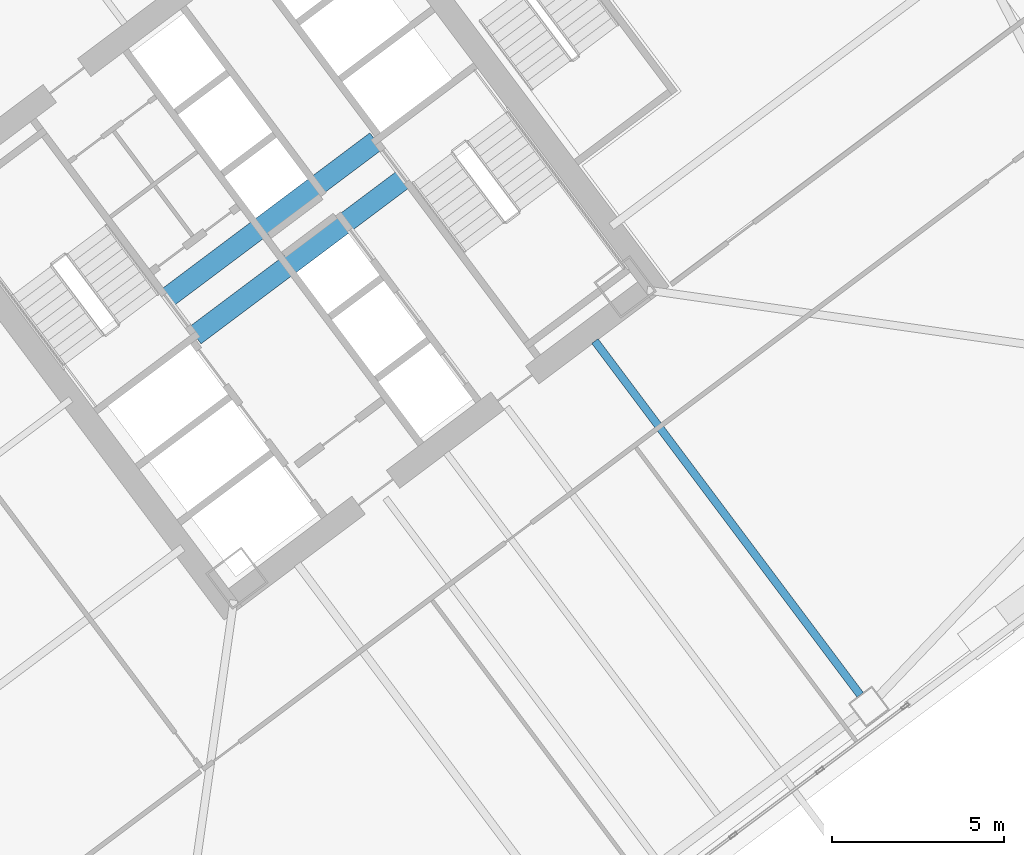
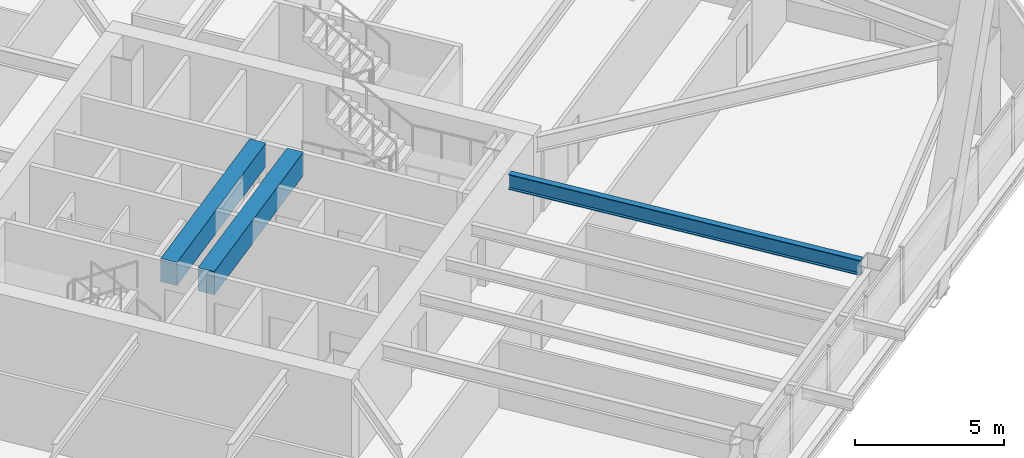
# One storey, part 44 of 75: 3 beams.
"""IFC4 building model written with IfcOpenShell, lengths in metres."""

from ifc_helpers import new_model, si_unit, direction, frame, origin, origin_2d, place, context, subcontext, project, spatial, rectangle, i_section, extrude, material, material_profile, profile_set, type_object, element, save


model = new_model("IFC4")

# Units and contexts
model_context = context("Model", 3, precision=1e-05, world=origin(), true_north=direction((0.0, 1.0)))
body_context = subcontext(model_context, "Body", "Model", "MODEL_VIEW")
ifc_project = project(units=[si_unit("LENGTHUNIT", "METRE"), si_unit("AREAUNIT", "SQUARE_METRE"), si_unit("VOLUMEUNIT", "CUBIC_METRE"), si_unit("PLANEANGLEUNIT", "RADIAN"), si_unit("MASSUNIT", "GRAM", prefix="KILO")], contexts=[model_context])

# Site, building, storey
site_placement = place(None, origin())
site = spatial("IfcSite", under=ifc_project, at=site_placement, CompositionType="ELEMENT")
building_placement = place(site_placement, origin())
building = spatial("IfcBuilding", under=site, at=building_placement, Name="Tashvorn Skyway Center", CompositionType="ELEMENT")
storey_placement = place(building_placement, frame((0.0, 0.0, 45.89990234375)))
storey = spatial("IfcBuildingStorey", under=building, at=storey_placement, Name="L11", CompositionType="ELEMENT", Elevation=45.89990234375)

# Beams
ifc_material_1 = material(Name="Steel ASTM A992 Grade 50", Category="steel")
ifc_material_profile_1 = material_profile(ifc_material_1, i_section(OverallWidth=0.22998046875, OverallDepth=0.616943359375, WebThickness=0.01318359375, FlangeThickness=0.022216796875, at=origin_2d()), Name="W24X94")
ifc_profile_set_1 = profile_set([ifc_material_profile_1], Name="Steel ASTM A992 Grade 50")
beam_type_1 = type_object("IfcBeamType", Name="BM-BEAM-W24X94", PredefinedType="BEAM", material=ifc_profile_set_1)
beam_placement = place(storey_placement, frame((130.697998046875, 18.736083984375, 3.04150390625), z_axis=(-0.599996960112, 0.800002279907, 0.0), x_axis=(-0.800002279907, -0.599996960112, 0.0)))
element("IfcBeam", 1, at=beam_placement, inside=storey, type_object=beam_type_1, Name="Tower 2 L11 Primary Floor Girder FC-S2", PredefinedType="BEAM", context=body_context, shape_type="SweptSolid", body=[
    extrude(i_section(OverallWidth=0.22998046875, OverallDepth=0.616943359375, WebThickness=0.01318359375, FlangeThickness=0.022216796875, at=origin_2d()), origin(), (0.0, 0.0, 1.0), 12.85009765625),
])
ifc_material_2 = material(Name="Concrete C60/75", Category="concrete")
ifc_material_profile_2 = material_profile(ifc_material_2, rectangle(XDim=0.60009765625, YDim=0.949951171875, at=origin_2d()), Name="RCB600x950")
ifc_profile_set_2 = profile_set([ifc_material_profile_2], Name="Concrete C60/75")
beam_type_2 = type_object("IfcBeamType", Name="BM-LINTEL-RCB600x950", PredefinedType="LINTEL", material=ifc_profile_set_2)
for number, where, z_axis, x_axis, name in (
    (2, (110.552001953125, 30.263916015625, 2.875), (0.8, 0.6, 0.0), (-0.6, 0.8, 0.0), "Tower 2 L11 Core Coupling Beam CN"),
    (3, (111.367919921875, 29.176025390625, 2.875), (0.8, 0.6, 0.0), (-0.6, 0.8, 0.0), "Tower 2 L11 Core Coupling Beam CS"),
):
    element("IfcBeam", number, at=place(storey_placement, frame(where, z_axis=z_axis, x_axis=x_axis)), inside=storey, type_object=beam_type_2, Name=name, PredefinedType="LINTEL", context=body_context, shape_type="SweptSolid", body=[
        extrude(rectangle(XDim=0.60009765625, YDim=0.949951171875, at=origin_2d()), origin(), (0.0, 0.0, 1.0), 7.60009765625),
    ])

save(model, "model.ifc")
